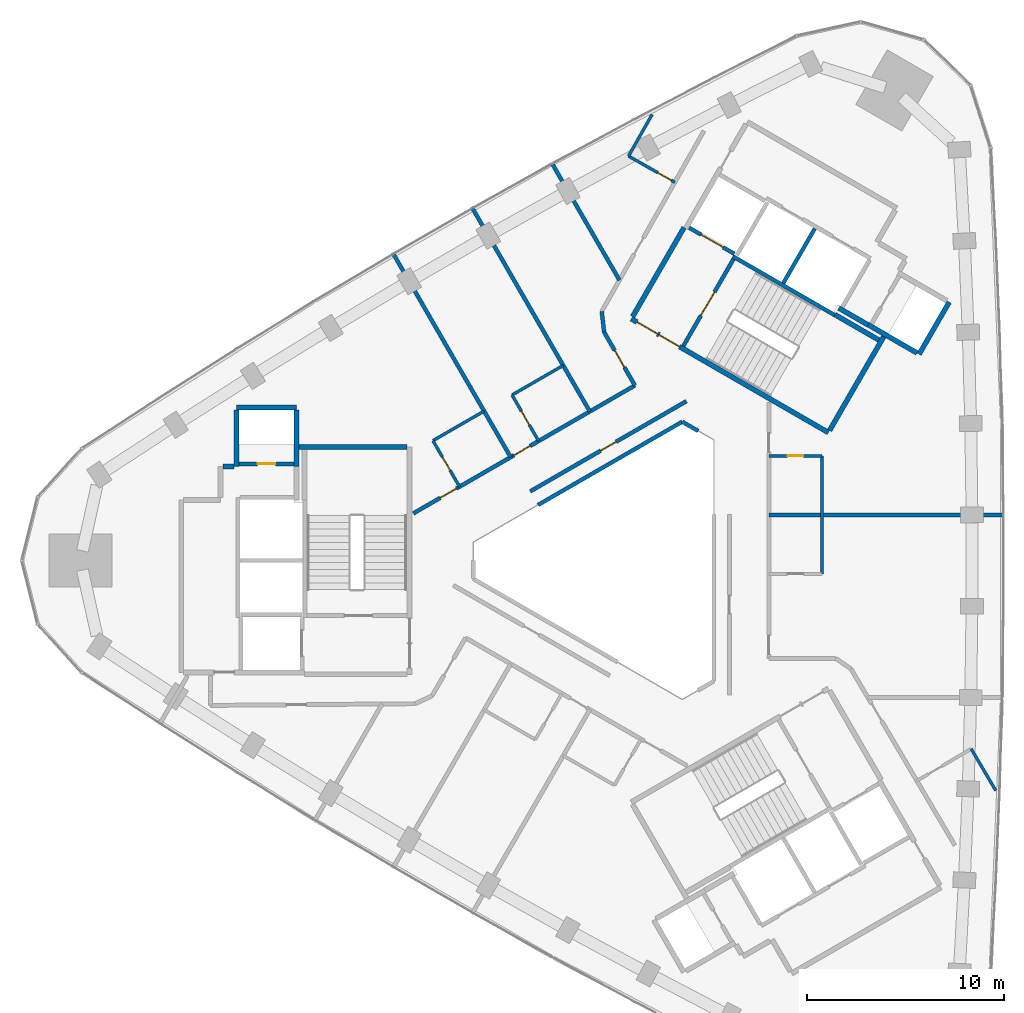
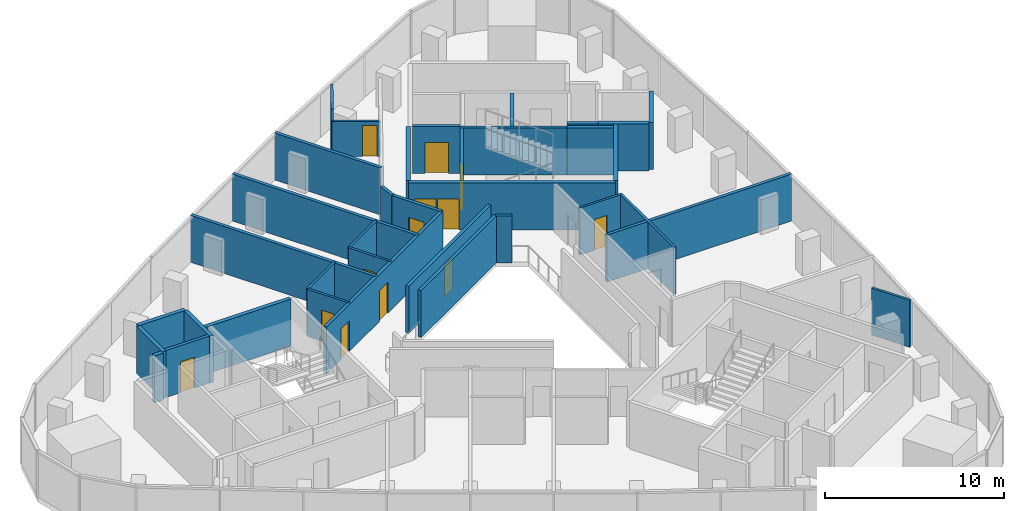
# One storey, part 9 of 11: 36 walls, 13 doors, 13 openings.
"""IFC4 building model written with IfcOpenShell, lengths in metres."""

from ifc_helpers import new_model, si_unit, direction, frame, frame_2d, origin, place, context, subcontext, project, spatial, rectangle, extrude, material, layer, layer_set, type_object, element, fill, save


model = new_model("IFC4")

# Units and contexts
model_context = context("Model", 3, precision=1e-05, world=origin(), true_north=direction((0.0, 1.0)))
body_context = subcontext(model_context, "Body", "Model", "MODEL_VIEW")
ifc_project = project(units=[si_unit("LENGTHUNIT", "METRE"), si_unit("AREAUNIT", "SQUARE_METRE"), si_unit("VOLUMEUNIT", "CUBIC_METRE"), si_unit("PLANEANGLEUNIT", "RADIAN"), si_unit("MASSUNIT", "GRAM", prefix="KILO")], contexts=[model_context])

# Site, building, storey
site_placement = place(None, origin())
site = spatial("IfcSite", under=ifc_project, at=site_placement, CompositionType="ELEMENT")
building_placement = place(site_placement, origin())
building = spatial("IfcBuilding", under=site, at=building_placement, Name="Tamra Quay Hotel Tower", CompositionType="ELEMENT")
storey_placement = place(building_placement, frame((0.0, 0.0, 208.0)))
storey = spatial("IfcBuildingStorey", under=building, at=storey_placement, Name="L52", CompositionType="ELEMENT", Elevation=208.0)

# Wall, opening, door
ifc_material_1 = material(Name="Concrete M70", Category="concrete")
ifc_layer_1 = layer(ifc_material_1, 0.199951171875)
ifc_layer_set_1 = layer_set([ifc_layer_1], Name="Concrete M70 core wall 200")
wall_type_1 = type_object("IfcWallType", Name="Concrete M70 core wall 200", PredefinedType="SHEAR", material=ifc_layer_set_1)
wall_1_placement = place(storey_placement, frame((-19.51123046875, 4.91015625, 0.0), z_axis=(0.0, 0.0, 1.0), x_axis=(1.0, 0.0, 0.0)))
wall_1 = element("IfcWall", 1, at=wall_1_placement, inside=storey, type_object=wall_type_1, Name="CW2", PredefinedType="SHEAR", context=body_context, shape_type="SweptSolid", body=[
    extrude(rectangle(XDim=2.7978515625, YDim=0.199951171875, at=frame_2d((1.39892578125, 0.0))), origin(), (0.0, 0.0, 1.0), 3.199951171875),
])
opening_1_placement = place(wall_1_placement, frame((0.948974609375, 0.0, 0.0)))
opening_1 = element("IfcOpeningElement", 2, at=opening_1_placement, cuts=wall_1, Name="Opening D1", PredefinedType="OPENING", context=body_context, shape_type="SweptSolid", body=[
    extrude(rectangle(XDim=0.89990234375, YDim=2.10009765625, at=frame_2d((0.449951171875, 1.050048828125))), frame((0.0, 0.10986328125, 0.0), z_axis=(0.0, -1.0, 0.0), x_axis=(1.0, 0.0, 0.0)), (0.0, 0.0, 1.0), 0.219970703125),
])
ifc_material_2 = material(Name="Core door D1 900x2100 LH")
door_type_1 = type_object("IfcDoorType", Name="Core door D1 900x2100 LH", OperationType="NOTDEFINED", PredefinedType="DOOR", material=ifc_material_2)
door_1_placement = place(opening_1_placement, origin())
door_1 = element("IfcDoor", 3, at=door_1_placement, inside=storey, type_object=door_type_1, Name="D1", OperationType="SINGLE_SWING_LEFT", OverallHeight=2.10009765625, OverallWidth=0.89990234375, PredefinedType="DOOR", context=body_context, shape_type="SweptSolid", body=[
    extrude(rectangle(XDim=0.89990234375, YDim=2.10009765625, at=frame_2d((0.449951171875, 1.050048828125))), frame((0.0, 0.02490234375, 0.0), z_axis=(0.0, -1.0, 0.0), x_axis=(1.0, 0.0, 0.0)), (0.0, 0.0, 1.0), 0.050048828125),
])
fill(opening_1, door_1)

# Wall
wall_2_placement = place(storey_placement, frame((10.7431640625, 12.4599609375, 0.0), z_axis=(0.0, 0.0, 1.0), x_axis=(-0.866018848283, 0.500011354289, 0.0)))
element("IfcWall", 4, at=wall_2_placement, inside=storey, type_object=wall_type_1, Name="CW2", PredefinedType="SHEAR", context=body_context, shape_type="SweptSolid", body=[
    extrude(rectangle(XDim=5.973876953125, YDim=0.199951171875, at=frame_2d((2.98681640625, 0.0))), origin(), (0.0, 0.0, 1.0), 3.199951171875),
])

# Wall, opening, door
wall_3_placement = place(storey_placement, frame((3.056640625, 10.89453125, 0.0), z_axis=(0.0, 0.0, 1.0), x_axis=(0.500027839223, 0.866009330205, 0.0)))
wall_3 = element("IfcWall", 5, at=wall_3_placement, inside=storey, type_object=wall_type_1, Name="CW2", PredefinedType="SHEAR", context=body_context, shape_type="SweptSolid", body=[
    extrude(rectangle(XDim=5.097900390625, YDim=0.199951171875, at=frame_2d((2.548828125, 0.0))), origin(), (0.0, 0.0, 1.0), 3.199951171875),
])
opening_2_placement = place(wall_3_placement, frame((1.77392578125, 0.0, 0.0)))
opening_2 = element("IfcOpeningElement", 6, at=opening_2_placement, cuts=wall_3, Name="Opening FD2", PredefinedType="OPENING", context=body_context, shape_type="SweptSolid", body=[
    extrude(rectangle(XDim=1.39990234375, YDim=2.10009765625, at=frame_2d((0.699951171875, 1.050048828125))), frame((0.0, 0.10986328125, 0.0), z_axis=(0.0, -1.0, 0.0), x_axis=(1.0, 0.0, 0.0)), (0.0, 0.0, 1.0), 0.219970703125),
])
ifc_material_3 = material(Name="Core door FD2 1400x2100 RH")
door_type_2 = type_object("IfcDoorType", Name="Core door FD2 1400x2100 RH", OperationType="NOTDEFINED", PredefinedType="DOOR", material=ifc_material_3)
door_2_placement = place(opening_2_placement, origin())
door_2 = element("IfcDoor", 7, at=door_2_placement, inside=storey, type_object=door_type_2, Name="FD2", OperationType="SINGLE_SWING_RIGHT", OverallHeight=2.10009765625, OverallWidth=1.39990234375, PredefinedType="DOOR", context=body_context, shape_type="SweptSolid", body=[
    extrude(rectangle(XDim=1.39990234375, YDim=2.10009765625, at=frame_2d((0.699951171875, 1.050048828125))), frame((0.0, 0.02490234375, 0.0), z_axis=(0.0, -1.0, 0.0), x_axis=(1.0, 0.0, 0.0)), (0.0, 0.0, 1.0), 0.050048828125),
])
fill(opening_2, door_2)

# Wall
wall_4_placement = place(storey_placement, frame((8.131591796875, 14.08447265625, 0.0), z_axis=(0.0, 0.0, 1.0), x_axis=(0.500030834389, 0.86600760081, 0.0)))
element("IfcWall", 8, at=wall_4_placement, inside=storey, type_object=wall_type_1, Name="CW2", PredefinedType="SHEAR", context=body_context, shape_type="SweptSolid", body=[
    extrude(rectangle(XDim=3.197998046875, YDim=0.199951171875, at=frame_2d((1.59912109375, 0.0))), origin(), (0.0, 0.0, 1.0), 3.199951171875),
])

# Wall, opening, door
wall_5_placement = place(storey_placement, frame((5.646240234375, 15.575927734375, 0.0), z_axis=(0.0, 0.0, 1.0), x_axis=(-0.866018407898, 0.500012117035, 0.0)))
wall_5 = element("IfcWall", 9, at=wall_5_placement, inside=storey, type_object=wall_type_1, Name="CW2", PredefinedType="SHEAR", context=body_context, shape_type="SweptSolid", body=[
    extrude(rectangle(XDim=2.65087890625, YDim=0.199951171875, at=frame_2d((1.325439453125, 0.0))), origin(), (0.0, 0.0, 1.0), 3.199951171875),
])
opening_3_placement = place(wall_5_placement, frame((0.65185546875, 0.0, 0.0)))
opening_3 = element("IfcOpeningElement", 10, at=opening_3_placement, cuts=wall_5, Name="Opening LD", PredefinedType="OPENING", context=body_context, shape_type="SweptSolid", body=[
    extrude(rectangle(XDim=1.300048828125, YDim=2.10009765625, at=frame_2d((0.64990234375, 1.050048828125))), frame((0.0, 0.10986328125, 0.0), z_axis=(0.0, -1.0, 0.0), x_axis=(1.0, 0.0, 0.0)), (0.0, 0.0, 1.0), 0.219970703125),
])
ifc_material_4 = material(Name="Landing door LD 1300 sliding to right")
door_type_3 = type_object("IfcDoorType", Name="Landing door LD 1300 sliding to right", OperationType="NOTDEFINED", PredefinedType="DOOR", material=ifc_material_4)
door_3_placement = place(opening_3_placement, origin())
door_3 = element("IfcDoor", 11, at=door_3_placement, inside=storey, type_object=door_type_3, Name="LD", OperationType="SLIDING_TO_RIGHT", OverallHeight=2.10009765625, OverallWidth=1.300048828125, PredefinedType="DOOR", context=body_context, shape_type="SweptSolid", body=[
    extrude(rectangle(XDim=1.300048828125, YDim=2.10009765625, at=frame_2d((0.64990234375, 1.050048828125))), frame((0.0, 0.02490234375, 0.0), z_axis=(0.0, -1.0, 0.0), x_axis=(1.0, 0.0, 0.0)), (0.0, 0.0, 1.0), 0.050048828125),
])
fill(opening_3, door_3)

# Walls
ifc_layer_2 = layer(ifc_material_1, 0.25)
ifc_layer_set_2 = layer_set([ifc_layer_2], Name="Concrete M70 core wall 250")
wall_type_2 = type_object("IfcWallType", Name="Concrete M70 core wall 250", PredefinedType="SHEAR", material=ifc_layer_set_2)
wall_6_placement = place(storey_placement, frame((-16.47216796875, 5.77490234375, 0.0), z_axis=(0.0, 0.0, 1.0), x_axis=(1.0, 0.0, 0.0)))
element("IfcWall", 12, at=wall_6_placement, inside=storey, type_object=wall_type_2, Name="CW1", PredefinedType="SHEAR", context=body_context, shape_type="SweptSolid", body=[
    extrude(rectangle(XDim=5.509521484375, YDim=0.25, at=frame_2d((2.7548828125, 0.0))), origin(), (0.0, 0.0, 1.0), 3.199951171875),
])
wall_7_placement = place(storey_placement, frame((-19.63720703125, 7.77490234375, 0.0), z_axis=(0.0, 0.0, 1.0), x_axis=(1.0, 0.0, 0.0)))
element("IfcWall", 13, at=wall_7_placement, inside=storey, type_object=wall_type_2, Name="CW1", PredefinedType="SHEAR", context=body_context, shape_type="SweptSolid", body=[
    extrude(rectangle(XDim=3.0498046875, YDim=0.25, at=frame_2d((1.52490234375, 0.0))), origin(), (0.0, 0.0, 1.0), 3.199951171875),
])
for number, where, z_axis, x_axis, name in (
    (14, (-16.58740234375, 7.649658203125, 0.0), (0.0, 0.0, 1.0), (0.0, -1.0, 0.0), "CW1"),
    (15, (-19.63720703125, 4.784912109375, 0.0), (0.0, 0.0, 1.0), (0.0, 1.0, 0.0), "CW1"),
):
    element("IfcWall", number, at=place(storey_placement, frame(where, z_axis=z_axis, x_axis=x_axis)), inside=storey, type_object=wall_type_2, Name=name, PredefinedType="SHEAR", context=body_context, shape_type="SweptSolid", body=[
        extrude(rectangle(XDim=2.86474609375, YDim=0.25, at=frame_2d((1.432373046875, 0.0))), origin(), (0.0, 0.0, 1.0), 3.199951171875),
    ])
wall_8_placement = place(storey_placement, frame((-20.32177734375, 4.784912109375, 0.0), z_axis=(0.0, 0.0, 1.0), x_axis=(1.0, 0.0, 0.0)))
element("IfcWall", 16, at=wall_8_placement, inside=storey, type_object=wall_type_2, Name="CW1", PredefinedType="SHEAR", context=body_context, shape_type="SweptSolid", body=[
    extrude(rectangle(XDim=0.55908203125, YDim=0.25, at=frame_2d((0.279541015625, 0.0))), origin(), (0.0, 0.0, 1.0), 3.199951171875),
])

# Wall, openings, doors
wall_9_placement = place(storey_placement, frame((10.419921875, 6.497802734375, 0.0), z_axis=(0.0, 0.0, 1.0), x_axis=(-0.866021906294, 0.500006057782, 0.0)))
wall_9 = element("IfcWall", 17, at=wall_9_placement, inside=storey, type_object=wall_type_2, Name="CW1", PredefinedType="SHEAR", context=body_context, shape_type="SweptSolid", body=[
    extrude(rectangle(XDim=11.550048828125, YDim=0.25, at=frame_2d((5.77490234375, 0.0))), origin(), (0.0, 0.0, 1.0), 3.199951171875),
])
opening_4_placement = place(wall_9_placement, frame((10.02490234375, 0.0, 0.0)))
opening_4 = element("IfcOpeningElement", 18, at=opening_4_placement, cuts=wall_9, Name="Opening FD1", PredefinedType="OPENING", context=body_context, shape_type="SweptSolid", body=[
    extrude(rectangle(XDim=1.199951171875, YDim=2.10009765625, at=frame_2d((0.60009765625, 1.050048828125))), frame((0.0, 0.135009765625, 0.0), z_axis=(0.0, -1.0, 0.0), x_axis=(1.0, 0.0, 0.0)), (0.0, 0.0, 1.0), 0.27001953125),
])
opening_5_placement = place(wall_9_placement, frame((8.724853515625, 0.0, 0.0)))
opening_5 = element("IfcOpeningElement", 19, at=opening_5_placement, cuts=wall_9, Name="Opening FD1", PredefinedType="OPENING", context=body_context, shape_type="SweptSolid", body=[
    extrude(rectangle(XDim=1.199951171875, YDim=2.10009765625, at=frame_2d((0.60009765625, 1.050048828125))), frame((0.0, 0.135009765625, 0.0), z_axis=(0.0, -1.0, 0.0), x_axis=(1.0, 0.0, 0.0)), (0.0, 0.0, 1.0), 0.27001953125),
])
ifc_material_5 = material(Name="Core door FD1 1200x2100 LH")
door_type_4 = type_object("IfcDoorType", Name="Core door FD1 1200x2100 LH", OperationType="NOTDEFINED", PredefinedType="DOOR", material=ifc_material_5)
door_4_placement = place(opening_4_placement, origin())
door_4 = element("IfcDoor", 20, at=door_4_placement, inside=storey, type_object=door_type_4, Name="FD1", OperationType="SINGLE_SWING_LEFT", OverallHeight=2.10009765625, OverallWidth=1.199951171875, PredefinedType="DOOR", context=body_context, shape_type="SweptSolid", body=[
    extrude(rectangle(XDim=1.199951171875, YDim=2.10009765625, at=frame_2d((0.60009765625, 1.050048828125))), frame((0.0, 0.02490234375, 0.0), z_axis=(0.0, -1.0, 0.0), x_axis=(1.0, 0.0, 0.0)), (0.0, 0.0, 1.0), 0.050048828125),
])
fill(opening_4, door_4)
ifc_material_6 = material(Name="Core door FD1 1200x2100 RH")
door_type_5 = type_object("IfcDoorType", Name="Core door FD1 1200x2100 RH", OperationType="NOTDEFINED", PredefinedType="DOOR", material=ifc_material_6)
door_5_placement = place(opening_5_placement, origin())
door_5 = element("IfcDoor", 21, at=door_5_placement, inside=storey, type_object=door_type_5, Name="FD1", OperationType="SINGLE_SWING_RIGHT", OverallHeight=2.10009765625, OverallWidth=1.199951171875, PredefinedType="DOOR", context=body_context, shape_type="SweptSolid", body=[
    extrude(rectangle(XDim=1.199951171875, YDim=2.10009765625, at=frame_2d((0.60009765625, 1.050048828125))), frame((0.0, 0.02490234375, 0.0), z_axis=(0.0, -1.0, 0.0), x_axis=(1.0, 0.0, 0.0)), (0.0, 0.0, 1.0), 0.050048828125),
])
fill(opening_5, door_5)

# Walls
wall_10_placement = place(storey_placement, frame((0.47998046875, 12.38134765625, 0.0), z_axis=(0.0, 0.0, 1.0), x_axis=(0.49999885962, 0.866026062182, 0.0)))
element("IfcWall", 22, at=wall_10_placement, inside=storey, type_object=wall_type_2, Name="CW1", PredefinedType="SHEAR", context=body_context, shape_type="SweptSolid", body=[
    extrude(rectangle(XDim=5.224609375, YDim=0.25, at=frame_2d((2.6123046875, 0.0))), origin(), (0.0, 0.0, 1.0), 3.199951171875),
])
wall_11_placement = place(storey_placement, frame((13.237548828125, 11.3779296875, 0.0), z_axis=(0.0, 0.0, 1.0), x_axis=(-0.500008851346, -0.866020293397, 0.0)))
element("IfcWall", 23, at=wall_11_placement, inside=storey, type_object=wall_type_2, Name="CW1", PredefinedType="SHEAR", context=body_context, shape_type="SweptSolid", body=[
    extrude(rectangle(XDim=5.509765625, YDim=0.25, at=frame_2d((2.7548828125, 0.0))), origin(), (0.0, 0.0, 1.0), 3.199951171875),
])
wall_12_placement = place(storey_placement, frame((16.552001953125, 13.118896484375, 0.0), z_axis=(0.0, 0.0, 1.0), x_axis=(-0.499978833458, -0.866037623948, 0.0)))
element("IfcWall", 24, at=wall_12_placement, inside=storey, type_object=wall_type_2, Name="CW1", PredefinedType="SHEAR", context=body_context, shape_type="SweptSolid", body=[
    extrude(rectangle(XDim=3.050048828125, YDim=0.25, at=frame_2d((1.52490234375, 0.0))), origin(), (0.0, 0.0, 1.0), 3.199951171875),
])
wall_13_placement = place(storey_placement, frame((14.91845703125, 10.540283203125, 0.0), z_axis=(0.0, 0.0, 1.0), x_axis=(-0.866063538972, 0.499933942099, 0.0)))
element("IfcWall", 25, at=wall_13_placement, inside=storey, type_object=wall_type_2, Name="CW1", PredefinedType="SHEAR", context=body_context, shape_type="SweptSolid", body=[
    extrude(rectangle(XDim=2.86474609375, YDim=0.25, at=frame_2d((1.432373046875, 0.0))), origin(), (0.0, 0.0, 1.0), 3.199951171875),
])
wall_14_placement = place(storey_placement, frame((10.756591796875, 12.481201171875, 0.0), z_axis=(0.0, 0.0, 1.0), x_axis=(0.866022940537, -0.500004266446, 0.0)))
element("IfcWall", 26, at=wall_14_placement, inside=storey, type_object=wall_type_2, Name="CW1", PredefinedType="SHEAR", context=body_context, shape_type="SweptSolid", body=[
    extrude(rectangle(XDim=2.57470703125, YDim=0.25, at=frame_2d((1.287353515625, 0.0))), origin(), (0.0, 0.0, 1.0), 3.199951171875),
])
wall_15_placement = place(storey_placement, frame((12.4326171875, 11.9638671875, 0.0), z_axis=(0.0, 0.0, 1.0), x_axis=(-0.866038183914, 0.499977863513, 0.0)))
element("IfcWall", 27, at=wall_15_placement, inside=storey, type_object=wall_type_2, Name="CW1", PredefinedType="SHEAR", context=body_context, shape_type="SweptSolid", body=[
    extrude(rectangle(XDim=1.7099609375, YDim=0.25, at=frame_2d((0.85498046875, 0.0))), origin(), (0.0, 0.0, 1.0), 3.199951171875),
])

# Wall, openings, doors
ifc_material_7 = material(Name="Partition corridor wall")
ifc_layer_3 = layer(ifc_material_7, 0.199951171875)
ifc_layer_set_3 = layer_set([ifc_layer_3], Name="Partition corridor wall")
wall_type_3 = type_object("IfcWallType", Name="Partition corridor wall", PredefinedType="PARTITIONING", material=ifc_layer_set_3)
wall_16_placement = place(storey_placement, frame((-10.65234375, 2.394287109375, 0.0), z_axis=(0.0, 0.0, 1.0), x_axis=(0.866016271077, 0.500015817979, 0.0)))
wall_16 = element("IfcWall", 28, at=wall_16_placement, inside=storey, type_object=wall_type_3, Name="W-C", PredefinedType="PARTITIONING", context=body_context, shape_type="SweptSolid", body=[
    extrude(rectangle(XDim=12.99072265625, YDim=0.199951171875, at=frame_2d((6.495361328125, 0.0))), origin(), (0.0, 0.0, 1.0), 3.199951171875),
])
opening_6_placement = place(wall_16_placement, frame((5.897705078125, 0.0, 0.0)))
opening_6 = element("IfcOpeningElement", 29, at=opening_6_placement, cuts=wall_16, Name="Opening L52-D004", PredefinedType="OPENING", context=body_context, shape_type="SweptSolid", body=[
    extrude(rectangle(XDim=0.949951171875, YDim=2.10009765625, at=frame_2d((0.47509765625, 1.050048828125))), frame((0.0, 0.10986328125, 0.0), z_axis=(0.0, -1.0, 0.0), x_axis=(1.0, 0.0, 0.0)), (0.0, 0.0, 1.0), 0.219970703125),
])
opening_7_placement = place(wall_16_placement, frame((1.571044921875, 0.0, 0.0)))
opening_7 = element("IfcOpeningElement", 30, at=opening_7_placement, cuts=wall_16, Name="Opening L52-D006", PredefinedType="OPENING", context=body_context, shape_type="SweptSolid", body=[
    extrude(rectangle(XDim=0.949951171875, YDim=2.10009765625, at=frame_2d((0.47509765625, 1.050048828125))), frame((0.0, 0.10986328125, 0.0), z_axis=(0.0, -1.0, 0.0), x_axis=(1.0, 0.0, 0.0)), (0.0, 0.0, 1.0), 0.219970703125),
])
ifc_material_8 = material(Name="Door guest room 950x2100")
door_type_6 = type_object("IfcDoorType", Name="Door guest room 950x2100", OperationType="NOTDEFINED", PredefinedType="DOOR", material=ifc_material_8)
door_6_placement = place(opening_6_placement, origin())
door_6 = element("IfcDoor", 31, at=door_6_placement, inside=storey, type_object=door_type_6, Name="L52-D004", OperationType="SINGLE_SWING_LEFT", OverallHeight=2.10009765625, OverallWidth=0.949951171875, PredefinedType="DOOR", context=body_context, shape_type="SweptSolid", body=[
    extrude(rectangle(XDim=0.949951171875, YDim=2.10009765625, at=frame_2d((0.47509765625, 1.050048828125))), frame((0.0, 0.02490234375, 0.0), z_axis=(0.0, -1.0, 0.0), x_axis=(1.0, 0.0, 0.0)), (0.0, 0.0, 1.0), 0.050048828125),
])
fill(opening_6, door_6)
door_7_placement = place(opening_7_placement, origin())
door_7 = element("IfcDoor", 32, at=door_7_placement, inside=storey, type_object=door_type_6, Name="L52-D006", OperationType="SINGLE_SWING_LEFT", OverallHeight=2.10009765625, OverallWidth=0.949951171875, PredefinedType="DOOR", context=body_context, shape_type="SweptSolid", body=[
    extrude(rectangle(XDim=0.949951171875, YDim=2.10009765625, at=frame_2d((0.47509765625, 1.050048828125))), frame((0.0, 0.02490234375, 0.0), z_axis=(0.0, -1.0, 0.0), x_axis=(1.0, 0.0, 0.0)), (0.0, 0.0, 1.0), 0.050048828125),
])
fill(opening_7, door_7)

# Wall, opening, door
wall_17_placement = place(storey_placement, frame((-4.718017578125, 3.510986328125, 0.0), z_axis=(0.0, 0.0, 1.0), x_axis=(0.865989775611, 0.500061704731, 0.0)))
wall_17 = element("IfcWall", 33, at=wall_17_placement, inside=storey, type_object=wall_type_3, Name="W-C", PredefinedType="PARTITIONING", context=body_context, shape_type="SweptSolid", body=[
    extrude(rectangle(XDim=9.156982421875, YDim=0.199951171875, at=frame_2d((4.57861328125, 0.0))), origin(), (0.0, 0.0, 1.0), 3.199951171875),
])
opening_8_placement = place(wall_17_placement, frame((4.12841796875, 0.0, 0.0)))
opening_8 = element("IfcOpeningElement", 34, at=opening_8_placement, cuts=wall_17, Name="Opening L52-D021", PredefinedType="OPENING", context=body_context, shape_type="SweptSolid", body=[
    extrude(rectangle(XDim=0.89990234375, YDim=2.10009765625, at=frame_2d((0.449951171875, 1.050048828125))), frame((0.0, 0.10986328125, 0.0), z_axis=(0.0, -1.0, 0.0), x_axis=(1.0, 0.0, 0.0)), (0.0, 0.0, 1.0), 0.219970703125),
])
ifc_material_9 = material(Name="Door service room 900x2100")
door_type_7 = type_object("IfcDoorType", Name="Door service room 900x2100", OperationType="NOTDEFINED", PredefinedType="DOOR", material=ifc_material_9)
door_8_placement = place(opening_8_placement, frame((0.89990234375, 0.0, 0.0), z_axis=(0.0, 0.0, 1.0), x_axis=(-1.0, 0.0, 0.0)))
door_8 = element("IfcDoor", 35, at=door_8_placement, inside=storey, type_object=door_type_7, Name="L52-D021", OperationType="SINGLE_SWING_LEFT", OverallHeight=2.10009765625, OverallWidth=0.89990234375, PredefinedType="DOOR", context=body_context, shape_type="SweptSolid", body=[
    extrude(rectangle(XDim=0.89990234375, YDim=2.10009765625, at=frame_2d((0.449951171875, 1.050048828125))), frame((0.0, 0.02490234375, 0.0), z_axis=(0.0, -1.0, 0.0), x_axis=(1.0, 0.0, 0.0)), (0.0, 0.0, 1.0), 0.050048828125),
])
fill(opening_8, door_8)

# Wall
wall_18_placement = place(storey_placement, frame((-1.0849609375, 12.64990234375, 0.0), z_axis=(0.0, 0.0, 1.0), x_axis=(0.113812454263, -0.993502252264, 0.0)))
element("IfcWall", 36, at=wall_18_placement, inside=storey, type_object=wall_type_3, Name="W-C", PredefinedType="PARTITIONING", context=body_context, shape_type="SweptSolid", body=[
    extrude(rectangle(XDim=1.061767578125, YDim=0.199951171875, at=frame_2d((0.53076171875, 0.0))), origin(), (0.0, 0.0, 1.0), 3.199951171875),
])

# Wall, opening, door
wall_19_placement = place(storey_placement, frame((-0.964111328125, 11.594970703125, 0.0), z_axis=(0.0, 0.0, 1.0), x_axis=(0.500056215256, -0.865992945458, 0.0)))
wall_19 = element("IfcWall", 37, at=wall_19_placement, inside=storey, type_object=wall_type_3, Name="W-C", PredefinedType="PARTITIONING", context=body_context, shape_type="SweptSolid", body=[
    extrude(rectangle(XDim=3.123779296875, YDim=0.199951171875, at=frame_2d((1.56201171875, 0.0))), origin(), (0.0, 0.0, 1.0), 3.199951171875),
])
opening_9_placement = place(wall_19_placement, frame((1.061767578125, 0.0, 0.0)))
opening_9 = element("IfcOpeningElement", 38, at=opening_9_placement, cuts=wall_19, Name="Opening L52-D003", PredefinedType="OPENING", context=body_context, shape_type="SweptSolid", body=[
    extrude(rectangle(XDim=1.0, YDim=2.10009765625, at=frame_2d((0.5, 1.050048828125))), frame((0.0, 0.10986328125, 0.0), z_axis=(0.0, -1.0, 0.0), x_axis=(1.0, 0.0, 0.0)), (0.0, 0.0, 1.0), 0.219970703125),
])
ifc_material_10 = material(Name="Door guest room 1000x2100")
door_type_8 = type_object("IfcDoorType", Name="Door guest room 1000x2100", OperationType="NOTDEFINED", PredefinedType="DOOR", material=ifc_material_10)
door_9_placement = place(opening_9_placement, frame((1.0, 0.0, 0.0), z_axis=(0.0, 0.0, 1.0), x_axis=(-1.0, 0.0, 0.0)))
door_9 = element("IfcDoor", 39, at=door_9_placement, inside=storey, type_object=door_type_8, Name="L52-D003", OperationType="SINGLE_SWING_LEFT", OverallHeight=2.10009765625, OverallWidth=1.0, PredefinedType="DOOR", context=body_context, shape_type="SweptSolid", body=[
    extrude(rectangle(XDim=1.0, YDim=2.10009765625, at=frame_2d((0.5, 1.050048828125))), frame((0.0, 0.02490234375, 0.0), z_axis=(0.0, -1.0, 0.0), x_axis=(1.0, 0.0, 0.0)), (0.0, 0.0, 1.0), 0.050048828125),
])
fill(opening_9, door_9)

ifc_material_11 = material(Name="Partition en-suite wall")
ifc_layer_4 = layer(ifc_material_11, 0.14990234375)
ifc_layer_set_4 = layer_set([ifc_layer_4], Name="Partition en-suite wall")
wall_type_4 = type_object("IfcWallType", Name="Partition en-suite wall", PredefinedType="PARTITIONING", material=ifc_layer_set_4)
wall_20_placement = place(storey_placement, frame((-9.655029296875, 6.0849609375, 0.0), z_axis=(0.0, 0.0, 1.0), x_axis=(0.500129820725, -0.865950438779, 0.0)))
wall_20 = element("IfcWall", 40, at=wall_20_placement, inside=storey, type_object=wall_type_4, Name="W-E", PredefinedType="PARTITIONING", context=body_context, shape_type="SweptSolid", body=[
    extrude(rectangle(XDim=2.697509765625, YDim=0.14990234375, at=frame_2d((1.3486328125, 0.0))), origin(), (0.0, 0.0, 1.0), 3.199951171875),
])
opening_10_placement = place(wall_20_placement, frame((0.947509765625, 0.0, 0.0)))
opening_10 = element("IfcOpeningElement", 41, at=opening_10_placement, cuts=wall_20, Name="Opening L52-D007", PredefinedType="OPENING", context=body_context, shape_type="SweptSolid", body=[
    extrude(rectangle(XDim=0.800048828125, YDim=2.10009765625, at=frame_2d((0.39990234375, 1.050048828125))), frame((0.0, 0.0849609375, 0.0), z_axis=(0.0, -1.0, 0.0), x_axis=(1.0, 0.0, 0.0)), (0.0, 0.0, 1.0), 0.169921875),
])
ifc_material_12 = material(Name="Door en-suite 800x2100")
door_type_9 = type_object("IfcDoorType", Name="Door en-suite 800x2100", OperationType="NOTDEFINED", PredefinedType="DOOR", material=ifc_material_12)
door_10_placement = place(opening_10_placement, frame((0.800048828125, 0.0, 0.0), z_axis=(0.0, 0.0, 1.0), x_axis=(-1.0, 0.0, 0.0)))
door_10 = element("IfcDoor", 42, at=door_10_placement, inside=storey, type_object=door_type_9, Name="L52-D007", OperationType="SINGLE_SWING_LEFT", OverallHeight=2.10009765625, OverallWidth=0.800048828125, PredefinedType="DOOR", context=body_context, shape_type="SweptSolid", body=[
    extrude(rectangle(XDim=0.800048828125, YDim=2.10009765625, at=frame_2d((0.39990234375, 1.050048828125))), frame((0.0, 0.02490234375, 0.0), z_axis=(0.0, -1.0, 0.0), x_axis=(1.0, 0.0, 0.0)), (0.0, 0.0, 1.0), 0.050048828125),
])
fill(opening_10, door_10)

# Wall
wall_21_placement = place(storey_placement, frame((-9.653076171875, 6.089111328125, 0.0), z_axis=(0.0, 0.0, 1.0), x_axis=(0.866021254674, 0.500007186402, 0.0)))
element("IfcWall", 43, at=wall_21_placement, inside=storey, type_object=wall_type_4, Name="W-E", PredefinedType="PARTITIONING", context=body_context, shape_type="SweptSolid", body=[
    extrude(rectangle(XDim=2.99365234375, YDim=0.14990234375, at=frame_2d((1.496826171875, 0.0))), origin(), (0.0, 0.0, 1.0), 3.199951171875),
])

# Wall, opening, door
wall_22_placement = place(storey_placement, frame((-5.639892578125, 8.406005859375, 0.0), z_axis=(0.0, 0.0, 1.0), x_axis=(0.50001992892, -0.866013897511, 0.0)))
wall_22 = element("IfcWall", 44, at=wall_22_placement, inside=storey, type_object=wall_type_4, Name="W-E", PredefinedType="PARTITIONING", context=body_context, shape_type="SweptSolid", body=[
    extrude(rectangle(XDim=2.69970703125, YDim=0.14990234375, at=frame_2d((1.349853515625, 0.0))), origin(), (0.0, 0.0, 1.0), 3.199951171875),
])
opening_11_placement = place(wall_22_placement, frame((0.949951171875, 0.0, 0.0)))
opening_11 = element("IfcOpeningElement", 45, at=opening_11_placement, cuts=wall_22, Name="Opening L52-D005", PredefinedType="OPENING", context=body_context, shape_type="SweptSolid", body=[
    extrude(rectangle(XDim=0.800048828125, YDim=2.10009765625, at=frame_2d((0.39990234375, 1.050048828125))), frame((0.0, 0.0849609375, 0.0), z_axis=(0.0, -1.0, 0.0), x_axis=(1.0, 0.0, 0.0)), (0.0, 0.0, 1.0), 0.169921875),
])
door_11_placement = place(opening_11_placement, origin())
door_11 = element("IfcDoor", 46, at=door_11_placement, inside=storey, type_object=door_type_9, Name="L52-D005", OperationType="SINGLE_SWING_LEFT", OverallHeight=2.10009765625, OverallWidth=0.800048828125, PredefinedType="DOOR", context=body_context, shape_type="SweptSolid", body=[
    extrude(rectangle(XDim=0.800048828125, YDim=2.10009765625, at=frame_2d((0.39990234375, 1.050048828125))), frame((0.0, 0.02490234375, 0.0), z_axis=(0.0, -1.0, 0.0), x_axis=(1.0, 0.0, 0.0)), (0.0, 0.0, 1.0), 0.050048828125),
])
fill(opening_11, door_11)

# Wall
wall_23_placement = place(storey_placement, frame((-5.639892578125, 8.406005859375, 0.0), z_axis=(0.0, 0.0, 1.0), x_axis=(0.866010750942, 0.50002537861, 0.0)))
element("IfcWall", 47, at=wall_23_placement, inside=storey, type_object=wall_type_4, Name="W-E", PredefinedType="PARTITIONING", context=body_context, shape_type="SweptSolid", body=[
    extrude(rectangle(XDim=2.999755859375, YDim=0.14990234375, at=frame_2d((1.5, 0.0))), origin(), (0.0, 0.0, 1.0), 3.199951171875),
])

# Wall, opening, door
wall_24_placement = place(storey_placement, frame((0.27392578125, 20.533935546875, 0.0), z_axis=(0.0, 0.0, 1.0), x_axis=(0.870234176559, -0.492638283072, 0.0)))
wall_24 = element("IfcWall", 48, at=wall_24_placement, inside=storey, type_object=wall_type_4, Name="W-E", PredefinedType="PARTITIONING", context=body_context, shape_type="SweptSolid", body=[
    extrude(rectangle(XDim=2.699462890625, YDim=0.14990234375, at=frame_2d((1.349609375, 0.0))), origin(), (0.0, 0.0, 1.0), 2.385986328125),
])
opening_12_placement = place(wall_24_placement, frame((1.69970703125, 0.0, 0.0)))
opening_12 = element("IfcOpeningElement", 49, at=opening_12_placement, cuts=wall_24, Name="Opening L52-D002", PredefinedType="OPENING", context=body_context, shape_type="SweptSolid", body=[
    extrude(rectangle(XDim=0.800048828125, YDim=2.10009765625, at=frame_2d((0.39990234375, 1.050048828125))), frame((0.0, 0.0849609375, 0.0), z_axis=(0.0, -1.0, 0.0), x_axis=(1.0, 0.0, 0.0)), (0.0, 0.0, 1.0), 0.169921875),
])
door_12_placement = place(opening_12_placement, frame((0.800048828125, 0.0, 0.0), z_axis=(0.0, 0.0, 1.0), x_axis=(-1.0, 0.0, 0.0)))
door_12 = element("IfcDoor", 50, at=door_12_placement, inside=storey, type_object=door_type_9, Name="L52-D002", OperationType="SINGLE_SWING_LEFT", OverallHeight=2.10009765625, OverallWidth=0.800048828125, PredefinedType="DOOR", context=body_context, shape_type="SweptSolid", body=[
    extrude(rectangle(XDim=0.800048828125, YDim=2.10009765625, at=frame_2d((0.39990234375, 1.050048828125))), frame((0.0, 0.02490234375, 0.0), z_axis=(0.0, -1.0, 0.0), x_axis=(1.0, 0.0, 0.0)), (0.0, 0.0, 1.0), 0.050048828125),
])
fill(opening_12, door_12)

# Wall
wall_25_placement = place(storey_placement, frame((0.27392578125, 20.533935546875, 0.0), z_axis=(0.0, 0.0, 1.0), x_axis=(0.492461641571, 0.870334149383, 0.0)))
element("IfcWall", 51, at=wall_25_placement, inside=storey, type_object=wall_type_4, Name="W-E", PredefinedType="PARTITIONING", context=body_context, shape_type="SweptSolid", body=[
    extrude(rectangle(XDim=2.4267578125, YDim=0.14990234375, at=frame_2d((1.21337890625, 0.0))), origin(), (0.0, 0.0, 1.0), 3.199951171875),
])

# Wall, opening, door
wall_26_placement = place(storey_placement, frame((7.40087890625, 5.319091796875, 0.0), z_axis=(0.0, 0.0, 1.0), x_axis=(1.0, 0.0, 0.0)))
wall_26 = element("IfcWall", 52, at=wall_26_placement, inside=storey, type_object=wall_type_4, Name="W-E", PredefinedType="PARTITIONING", context=body_context, shape_type="SweptSolid", body=[
    extrude(rectangle(XDim=2.697021484375, YDim=0.14990234375, at=frame_2d((1.3486328125, 0.0))), origin(), (0.0, 0.0, 1.0), 3.199951171875),
])
opening_13_placement = place(wall_26_placement, frame((0.948974609375, 0.0, 0.0)))
opening_13 = element("IfcOpeningElement", 53, at=opening_13_placement, cuts=wall_26, Name="Opening L52-D019", PredefinedType="OPENING", context=body_context, shape_type="SweptSolid", body=[
    extrude(rectangle(XDim=0.800048828125, YDim=2.10009765625, at=frame_2d((0.39990234375, 1.050048828125))), frame((0.0, 0.0849609375, 0.0), z_axis=(0.0, -1.0, 0.0), x_axis=(1.0, 0.0, 0.0)), (0.0, 0.0, 1.0), 0.169921875),
])
door_13_placement = place(opening_13_placement, origin())
door_13 = element("IfcDoor", 54, at=door_13_placement, inside=storey, type_object=door_type_9, Name="L52-D019", OperationType="SINGLE_SWING_LEFT", OverallHeight=2.10009765625, OverallWidth=0.800048828125, PredefinedType="DOOR", context=body_context, shape_type="SweptSolid", body=[
    extrude(rectangle(XDim=0.800048828125, YDim=2.10009765625, at=frame_2d((0.39990234375, 1.050048828125))), frame((0.0, 0.02490234375, 0.0), z_axis=(0.0, -1.0, 0.0), x_axis=(1.0, 0.0, 0.0)), (0.0, 0.0, 1.0), 0.050048828125),
])
fill(opening_13, door_13)

# Walls
wall_27_placement = place(storey_placement, frame((10.10009765625, -0.680908203125, 0.0), z_axis=(0.0, 0.0, 1.0), x_axis=(0.0, 1.0, 0.0)))
element("IfcWall", 55, at=wall_27_placement, inside=storey, type_object=wall_type_4, Name="W-E", PredefinedType="PARTITIONING", context=body_context, shape_type="SweptSolid", body=[
    extrude(rectangle(XDim=5.997802734375, YDim=0.14990234375, at=frame_2d((2.9990234375, 0.0))), origin(), (0.0, 0.0, 1.0), 3.199951171875),
])
wall_28_placement = place(storey_placement, frame((17.672119140625, -9.56103515625, 0.0), z_axis=(0.0, 0.0, 1.0), x_axis=(0.507424524348, -0.86169620638, 0.0)))
element("IfcWall", 56, at=wall_28_placement, inside=storey, type_object=wall_type_4, Name="W-E", PredefinedType="PARTITIONING", context=body_context, shape_type="SweptSolid", body=[
    extrude(rectangle(XDim=2.453369140625, YDim=0.14990234375, at=frame_2d((1.2265625, 0.0))), origin(), (0.0, 0.0, 1.0), 3.199951171875),
])
ifc_material_13 = material(Name="Partition party wall")
ifc_layer_5 = layer(ifc_material_13, 0.199951171875)
ifc_layer_set_5 = layer_set([ifc_layer_5], Name="Partition party wall")
wall_type_5 = type_object("IfcWallType", Name="Partition party wall", PredefinedType="PARTITIONING", material=ifc_layer_set_5)
wall_29_placement = place(storey_placement, frame((-11.661376953125, 15.560546875, 0.0), z_axis=(0.0, 0.0, 1.0), x_axis=(0.499960887391, -0.866047984282, 0.0)))
element("IfcWall", 57, at=wall_29_placement, inside=storey, type_object=wall_type_5, Name="W-P", PredefinedType="PARTITIONING", context=body_context, shape_type="SweptSolid", body=[
    extrude(rectangle(XDim=11.90673828125, YDim=0.199951171875, at=frame_2d((5.953369140625, 0.0))), origin(), (0.0, 0.0, 1.0), 3.199951171875),
])
wall_30_placement = place(storey_placement, frame((-7.6455078125, 17.87890625, 0.0), z_axis=(0.0, 0.0, 1.0), x_axis=(0.500042538917, -0.866000842536, 0.0)))
element("IfcWall", 58, at=wall_30_placement, inside=storey, type_object=wall_type_5, Name="W-P", PredefinedType="PARTITIONING", context=body_context, shape_type="SweptSolid", body=[
    extrude(rectangle(XDim=11.90625, YDim=0.199951171875, at=frame_2d((5.953125, 0.0))), origin(), (0.0, 0.0, 1.0), 3.199951171875),
])
wall_31_placement = place(storey_placement, frame((-4.318115234375, 2.819091796875, 0.0), z_axis=(0.0, 0.0, 1.0), x_axis=(0.866038843867, 0.499976720371, 0.0)))
element("IfcWall", 59, at=wall_31_placement, inside=storey, type_object=wall_type_5, Name="W-P", PredefinedType="PARTITIONING", context=body_context, shape_type="SweptSolid", body=[
    extrude(rectangle(XDim=8.4501953125, YDim=0.199951171875, at=frame_2d((4.22509765625, 0.0))), origin(), (0.0, 0.0, 1.0), 3.199951171875),
])
wall_32_placement = place(storey_placement, frame((-3.59765625, 20.14208984375, 0.0), z_axis=(0.0, 0.0, 1.0), x_axis=(0.499981732209, -0.866035950442, 0.0)))
element("IfcWall", 60, at=wall_32_placement, inside=storey, type_object=wall_type_5, Name="W-P", PredefinedType="PARTITIONING", context=body_context, shape_type="SweptSolid", body=[
    extrude(rectangle(XDim=6.819580078125, YDim=0.199951171875, at=frame_2d((3.40966796875, 0.0))), origin(), (0.0, 0.0, 1.0), 3.199951171875),
])
wall_33_placement = place(storey_placement, frame((3.0, 7.0439453125, 0.0), z_axis=(0.0, 0.0, 1.0), x_axis=(0.865872609263, -0.500264554538, 0.0)))
element("IfcWall", 61, at=wall_33_placement, inside=storey, type_object=wall_type_5, Name="W-P", PredefinedType="PARTITIONING", context=body_context, shape_type="SweptSolid", body=[
    extrude(rectangle(XDim=0.935546875, YDim=0.199951171875, at=frame_2d((0.4677734375, 0.0))), origin(), (0.0, 0.0, 1.0), 3.199951171875),
])
wall_34_placement = place(storey_placement, frame((7.39990234375, 2.319091796875, 0.0), z_axis=(0.0, 0.0, 1.0), x_axis=(1.0, 0.0, 0.0)))
element("IfcWall", 62, at=wall_34_placement, inside=storey, type_object=wall_type_5, Name="W-P", PredefinedType="PARTITIONING", context=body_context, shape_type="SweptSolid", body=[
    extrude(rectangle(XDim=11.906494140625, YDim=0.199951171875, at=frame_2d((5.953125, 0.0))), origin(), (0.0, 0.0, 1.0), 3.199951171875),
])

save(model, "model.ifc")
